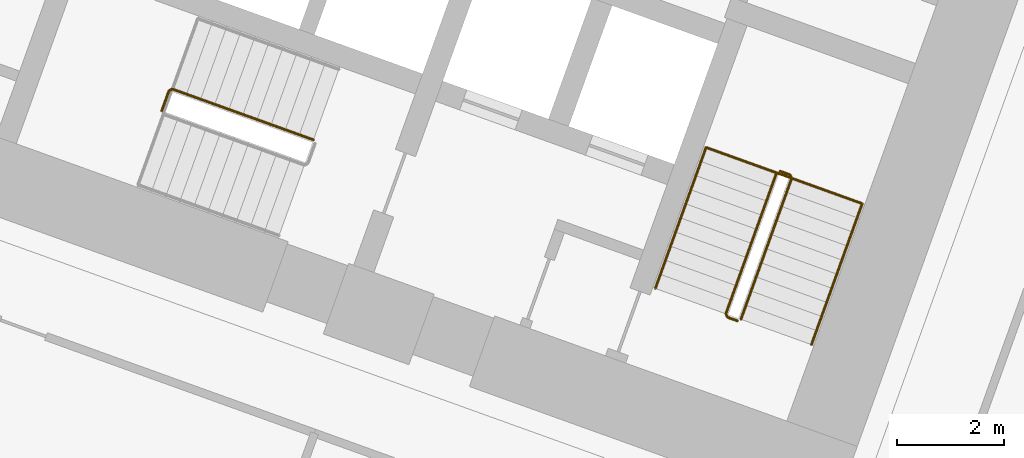
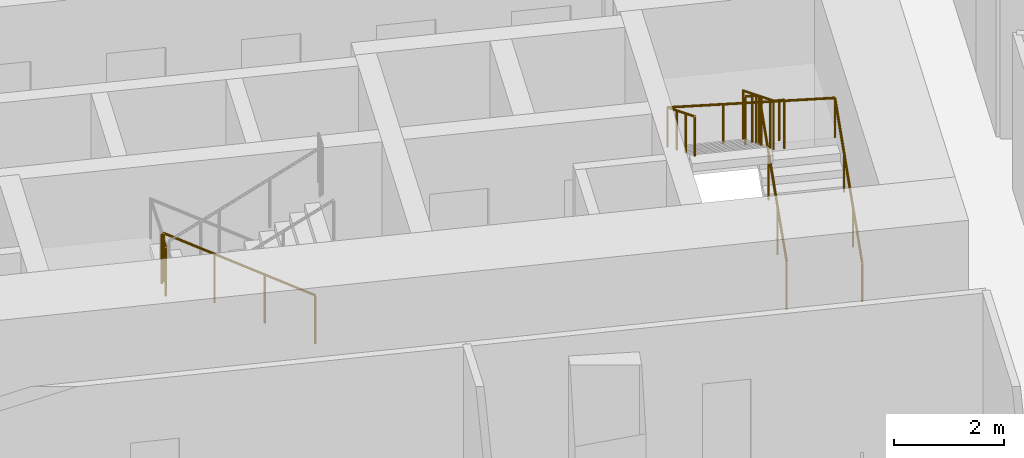
# One storey, part 20 of 20: 4 railings.
"""IFC4 building model written with IfcOpenShell, lengths in metres."""

from ifc_helpers import new_model, si_unit, direction, frame, origin, origin_2d, place, context, subcontext, project, spatial, circle, extrude, material, type_object, element, save


model = new_model("IFC4")

# Units and contexts
model_context = context("Model", 3, precision=1e-05, world=origin(), true_north=direction((0.0, 1.0)))
body_context = subcontext(model_context, "Body", "Model", "MODEL_VIEW")
ifc_project = project(units=[si_unit("LENGTHUNIT", "METRE"), si_unit("AREAUNIT", "SQUARE_METRE"), si_unit("VOLUMEUNIT", "CUBIC_METRE"), si_unit("PLANEANGLEUNIT", "RADIAN"), si_unit("MASSUNIT", "GRAM", prefix="KILO")], contexts=[model_context])

# Site, building, storey
site_placement = place(None, origin())
site = spatial("IfcSite", under=ifc_project, at=site_placement, CompositionType="ELEMENT")
building_placement = place(site_placement, origin())
building = spatial("IfcBuilding", under=site, at=building_placement, Name="Stone Belt Terrace Tower", CompositionType="ELEMENT")
storey_placement = place(building_placement, frame((0.0, 0.0, 106.0)))
storey = spatial("IfcBuildingStorey", under=building, at=storey_placement, Name="L25", CompositionType="ELEMENT", Elevation=106.0)

# Railings
ifc_material = material(Name="Structural steel C345", Category="steel")
railing_type_1 = type_object("IfcRailingType", Name="Stair guard 1100", PredefinedType="GUARDRAIL", material=ifc_material)
railing_1_placement = place(storey_placement, frame((24.494140625, 45.174560546875, 0.172607421875)))
element("IfcRailing", 1, at=railing_1_placement, inside=storey, type_object=railing_type_1, Name="L25 ST1B stair guard 1", PredefinedType="GUARDRAIL", context=body_context, shape_type="SweptSolid", body=[
    extrude(circle(Radius=0.02392578125, at=origin_2d()), frame((0.0, 0.0, 1.076171875), z_axis=(0.288228637646, 0.800791768495, 0.525030280985), x_axis=(-0.940908529223, 0.338660803216, 0.0)), (0.0, 0.0, 1.0), 3.289794921875),
    extrude(circle(Radius=0.02392578125, at=origin_2d()), frame((0.9482421875, 2.634521484375, 2.80322265625), z_axis=(-0.424964916, 0.905209821074, 0.0), x_axis=(-0.905209821074, -0.424964916, 0.0)), (0.0, 0.0, 1.0), 0.070556640625),
    extrude(circle(Radius=0.02392578125, at=origin_2d()), frame((0.918212890625, 2.698486328125, 2.80322265625), z_axis=(-0.941105063269, 0.338114270461, 0.0), x_axis=(-0.338114270461, -0.941105063269, 0.0)), (0.0, 0.0, 1.0), 0.199951171875),
    extrude(circle(Radius=0.02099609375, at=origin_2d()), origin(), (0.0, 0.0, 1.0), 1.052001953125),
    extrude(circle(Radius=0.02099609375, at=origin_2d()), frame((0.316162109375, 0.878173828125, 0.57568359375)), (0.0, 0.0, 1.0), 1.052001953125),
    extrude(circle(Radius=0.02099609375, at=origin_2d()), frame((0.632080078125, 1.75634765625, 1.151611328125)), (0.0, 0.0, 1.0), 1.052001953125),
    extrude(circle(Radius=0.02099609375, at=origin_2d()), frame((0.9482421875, 2.634521484375, 1.727294921875)), (0.0, 0.0, 1.0), 1.052001953125),
    extrude(circle(Radius=0.02099609375, at=origin_2d()), frame((0.918212890625, 2.698486328125, 1.727294921875)), (0.0, 0.0, 1.0), 1.052001953125),
    extrude(circle(Radius=0.02099609375, at=origin_2d()), frame((0.72998046875, 2.76611328125, 1.727294921875)), (0.0, 0.0, 1.0), 1.052001953125),
])
railing_2_placement = place(storey_placement, frame((25.16015625, 47.91064453125, 2.07275390625)))
element("IfcRailing", 2, at=railing_2_placement, inside=storey, type_object=railing_type_1, Name="L25 ST1B stair guard 2", PredefinedType="GUARDRAIL", context=body_context, shape_type="SweptSolid", body=[
    extrude(circle(Radius=0.02392578125, at=origin_2d()), frame((0.0, 0.0, 1.076171875), z_axis=(-0.288228637646, -0.800791768495, 0.525030280985), x_axis=(0.940908529223, -0.338660803216, 0.0)), (0.0, 0.0, 1.0), 3.289794921875),
    extrude(circle(Radius=0.02392578125, at=origin_2d()), frame((-0.9482421875, -2.634521484375, 2.80322265625), z_axis=(0.427789722475, -0.903878284585, 0.0), x_axis=(0.903878284585, 0.427789722475, 0.0)), (0.0, 0.0, 1.0), 0.07080078125),
    extrude(circle(Radius=0.02392578125, at=origin_2d()), frame((-0.91796875, -2.698486328125, 2.80322265625), z_axis=(0.940575576748, -0.339584429008, 0.0), x_axis=(0.339584429008, 0.940575576748, 0.0)), (0.0, 0.0, 1.0), 0.199951171875),
    extrude(circle(Radius=0.02099609375, at=origin_2d()), origin(), (0.0, 0.0, 1.0), 1.052001953125),
    extrude(circle(Radius=0.02099609375, at=origin_2d()), frame((-0.316162109375, -0.878173828125, 0.57568359375)), (0.0, 0.0, 1.0), 1.052001953125),
    extrude(circle(Radius=0.02099609375, at=origin_2d()), frame((-0.632080078125, -1.75634765625, 1.151611328125)), (0.0, 0.0, 1.0), 1.052001953125),
    extrude(circle(Radius=0.02099609375, at=origin_2d()), frame((-0.9482421875, -2.634521484375, 1.727294921875)), (0.0, 0.0, 1.0), 1.052001953125),
    extrude(circle(Radius=0.02099609375, at=origin_2d()), frame((-0.91796875, -2.698486328125, 1.727294921875)), (0.0, 0.0, 1.0), 1.052001953125),
    extrude(circle(Radius=0.02099609375, at=origin_2d()), frame((-0.72998046875, -2.766357421875, 1.727294921875)), (0.0, 0.0, 1.0), 1.052001953125),
])
railing_3_placement = place(storey_placement, frame((16.507568359375, 48.527099609375, 0.172607421875)))
element("IfcRailing", 3, at=railing_3_placement, inside=storey, type_object=railing_type_1, Name="L25 ST2B stair guard 1", PredefinedType="GUARDRAIL", context=body_context, shape_type="SweptSolid", body=[
    extrude(circle(Radius=0.02392578125, at=origin_2d()), frame((0.0, 0.0, 1.076171875), z_axis=(-0.800808895155, 0.288160591223, 0.52504150989), x_axis=(-0.338583606334, -0.940936311087, 0.0)), (0.0, 0.0, 1.0), 3.289794921875),
    extrude(circle(Radius=0.02392578125, at=origin_2d()), frame((-2.634521484375, 0.947998046875, 2.80322265625), z_axis=(-0.905209821074, -0.424964916, 0.0), x_axis=(0.424964916, -0.905209821074, 0.0)), (0.0, 0.0, 1.0), 0.070556640625),
    extrude(circle(Radius=0.02392578125, at=origin_2d()), frame((-2.698486328125, 0.91796875, 2.80322265625), z_axis=(-0.338654645739, -0.940910745459, 0.0), x_axis=(0.940910745459, -0.338654645739, 0.0)), (0.0, 0.0, 1.0), 0.400146484375),
    extrude(circle(Radius=0.02099609375, at=origin_2d()), origin(), (0.0, 0.0, 1.0), 1.052001953125),
    extrude(circle(Radius=0.02099609375, at=origin_2d()), frame((-0.878173828125, 0.31591796875, 0.57568359375)), (0.0, 0.0, 1.0), 1.052001953125),
    extrude(circle(Radius=0.02099609375, at=origin_2d()), frame((-1.75634765625, 0.632080078125, 1.151611328125)), (0.0, 0.0, 1.0), 1.052001953125),
    extrude(circle(Radius=0.02099609375, at=origin_2d()), frame((-2.634521484375, 0.947998046875, 1.727294921875)), (0.0, 0.0, 1.0), 1.052001953125),
    extrude(circle(Radius=0.02099609375, at=origin_2d()), frame((-2.698486328125, 0.91796875, 1.727294921875)), (0.0, 0.0, 1.0), 1.052001953125),
    extrude(circle(Radius=0.02099609375, at=origin_2d()), frame((-2.833984375, 0.54150390625, 1.727294921875)), (0.0, 0.0, 1.0), 1.052001953125),
])
railing_type_2 = type_object("IfcRailingType", Name="Stair handrail 900", PredefinedType="HANDRAIL", material=ifc_material)
railing_4_placement = place(storey_placement, frame((25.8115234375, 44.700439453125, 0.172607421875)))
element("IfcRailing", 4, at=railing_4_placement, inside=storey, type_object=railing_type_2, Name="L25 ST1B stair handrail 1", PredefinedType="HANDRAIL", context=body_context, shape_type="SweptSolid", body=[
    extrude(circle(Radius=0.02392578125, at=origin_2d()), frame((0.0, 0.0, 0.8759765625), z_axis=(0.288228637646, 0.800791768495, 0.525030280985), x_axis=(-0.940908529223, 0.338660803216, 0.0)), (0.0, 0.0, 1.0), 3.289794921875),
    extrude(circle(Radius=0.02392578125, at=origin_2d()), frame((0.9482421875, 2.634521484375, 2.60302734375), z_axis=(-0.939460408074, 0.338105101667, 0.055669398135), x_axis=(-0.338630230244, -0.940919532779, 0.0)), (0.0, 0.0, 1.0), 3.10498046875),
    extrude(circle(Radius=0.02392578125, at=origin_2d()), frame((-1.96875, 3.684326171875, 2.77587890625), z_axis=(-0.288160591223, -0.800808895155, 0.52504150989), x_axis=(0.940936311087, -0.338583606334, 0.0)), (0.0, 0.0, 1.0), 3.289794921875),
    extrude(circle(Radius=0.02099609375, at=origin_2d()), origin(), (0.0, 0.0, 1.0), 0.851806640625),
    extrude(circle(Radius=0.02099609375, at=origin_2d()), frame((0.316162109375, 0.878173828125, 0.57568359375)), (0.0, 0.0, 1.0), 0.851806640625),
    extrude(circle(Radius=0.02099609375, at=origin_2d()), frame((0.632080078125, 1.75634765625, 1.151611328125)), (0.0, 0.0, 1.0), 0.851806640625),
    extrude(circle(Radius=0.02099609375, at=origin_2d()), frame((0.9482421875, 2.634521484375, 1.727294921875)), (0.0, 0.0, 1.0), 0.851806640625),
    extrude(circle(Radius=0.02099609375, at=origin_2d()), frame((-0.024169921875, 2.984375, 1.784912109375)), (0.0, 0.0, 1.0), 0.851806640625),
    extrude(circle(Radius=0.02099609375, at=origin_2d()), frame((-0.996337890625, 3.33447265625, 1.842529296875)), (0.0, 0.0, 1.0), 0.851806640625),
    extrude(circle(Radius=0.02099609375, at=origin_2d()), frame((-1.96875, 3.684326171875, 1.900146484375)), (0.0, 0.0, 1.0), 0.851806640625),
    extrude(circle(Radius=0.02099609375, at=origin_2d()), frame((-2.28466796875, 2.80615234375, 2.475830078125)), (0.0, 0.0, 1.0), 0.851806640625),
    extrude(circle(Radius=0.02099609375, at=origin_2d()), frame((-2.600830078125, 1.927978515625, 3.0517578125)), (0.0, 0.0, 1.0), 0.851806640625),
    extrude(circle(Radius=0.02099609375, at=origin_2d()), frame((-2.916748046875, 1.0498046875, 3.62744140625)), (0.0, 0.0, 1.0), 0.851806640625),
])

save(model, "model.ifc")
